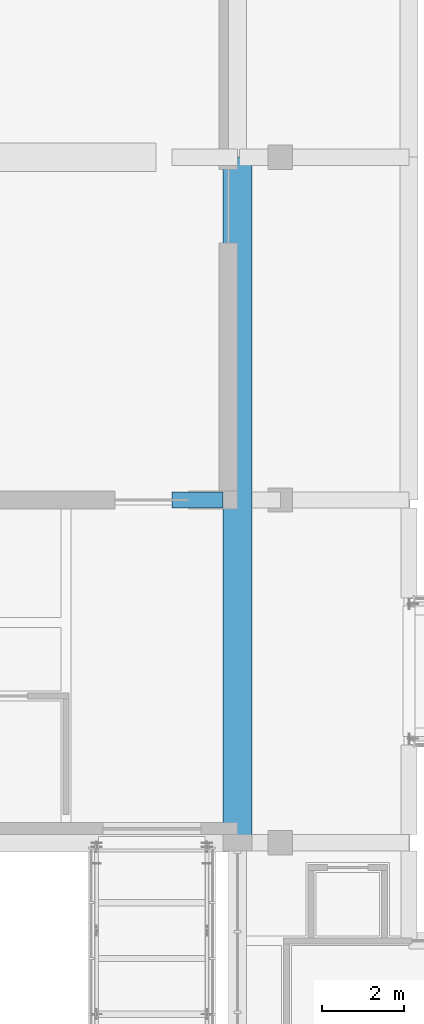
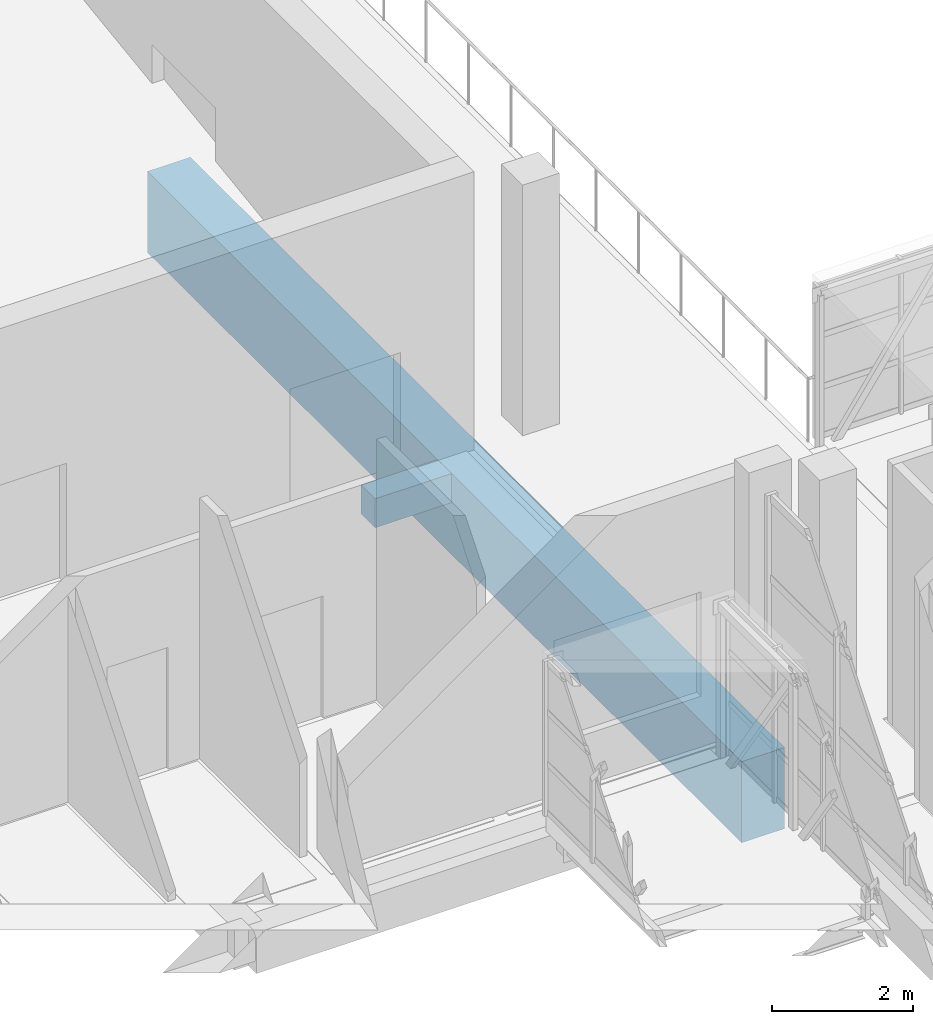
# One storey, part 17 of 67: 2 beams.
"""IFC4 building model written with IfcOpenShell, lengths in metres."""

import ifcopenshell
import ifcopenshell.guid

model = None  # the IFC model being written
_history = None  # IfcOwnerHistory: only IFC2X3 demands one
_inside = {}  # id of a spatial element -> (the spatial element, [elements in it])
_under = {}  # id of a project, library or spatial element -> (it, [spatial elements below it])
_declared = {}  # id of a project -> (the project, [libraries it declares])
_typed = {}  # id of a type object -> (the type object, [elements of that type])
_made_of = {}  # id of a material, layer set ... -> (it, [elements and type objects made of it])


def new_model(schema):
    """Start an empty IFC model of exactly this schema.

    Asked for "IFC4X3", IfcOpenShell would pick the latest addendum, in which some entities
    have other attributes; the version numbers below select the first issue.
    IFC2X3 requires an IfcOwnerHistory on every rooted entity: one is made here for all.
    """
    global model, _history
    if schema == "IFC4X3":
        model = ifcopenshell.file(schema_version=(4, 3, 0, 0))
    else:
        model = ifcopenshell.file(schema=schema)
    _inside.clear()
    _under.clear()
    _declared.clear()
    _typed.clear()
    _made_of.clear()
    _history = None
    if model.schema == "IFC2X3":
        org = make("IfcOrganization", Name="unknown")
        user = make(
            "IfcPersonAndOrganization",
            ThePerson=make("IfcPerson", FamilyName="unknown"),
            TheOrganization=org,
        )
        app = make(
            "IfcApplication",
            ApplicationDeveloper=org,
            Version="unknown",
            ApplicationFullName="unknown",
            ApplicationIdentifier="unknown",
        )
        _history = make(
            "IfcOwnerHistory",
            OwningUser=user,
            OwningApplication=app,
            ChangeAction="ADDED",
            CreationDate=0,
        )
    return model


def make(cls, **values):
    """One entity of the class cls with the attributes given. An attribute that is None is left unset."""
    return model.create_entity(
        cls, **{name: value for name, value in values.items() if value is not None}
    )


def rooted(cls, **values):
    """An entity with a GlobalId (a new one), such as an element, a storey or a relation."""
    return make(cls, GlobalId=ifcopenshell.guid.new(), OwnerHistory=_history, **values)


def si_unit(unit_type, name, prefix=None):
    """IfcSIUnit, for example si_unit("LENGTHUNIT", "METRE", prefix="MILLI")."""
    return make("IfcSIUnit", UnitType=unit_type, Prefix=prefix, Name=name)


def assignment(units):
    """IfcUnitAssignment: the units of a project."""
    return None if units is None else make("IfcUnitAssignment", Units=units)


def point(xyz):
    """IfcCartesianPoint."""
    return None if xyz is None else make("IfcCartesianPoint", Coordinates=xyz)


def direction(xyz):
    """IfcDirection."""
    return None if xyz is None else make("IfcDirection", DirectionRatios=xyz)


def frame(location, z_axis=None, x_axis=None):
    """IfcAxis2Placement3D, a coordinate frame: its origin and axes. An axis left out is left unset."""
    return make(
        "IfcAxis2Placement3D",
        Location=point(location),
        Axis=direction(z_axis),
        RefDirection=direction(x_axis),
    )


def frame_2d(location, x_axis=None):
    """IfcAxis2Placement2D, a coordinate frame in the plane: its origin and x axis."""
    return make(
        "IfcAxis2Placement2D", Location=point(location), RefDirection=direction(x_axis)
    )


def origin():
    """The frame at (0, 0, 0) with its axes left unset."""
    return frame((0.0, 0.0, 0.0))


def origin_2d():
    """The frame at (0, 0) in the plane with its x axis left unset."""
    return frame_2d((0.0, 0.0))


def place(relative_to, where):
    """IfcLocalPlacement: puts the frame where relative to a parent placement (None: the world)."""
    return make(
        "IfcLocalPlacement", PlacementRelTo=relative_to, RelativePlacement=where
    )


def context(
    kind, dimensions, precision=None, world=None, true_north=None, identifier=None
):
    """IfcGeometricRepresentationContext, for example the 3D "Model" context."""
    return make(
        "IfcGeometricRepresentationContext",
        ContextIdentifier=identifier,
        ContextType=kind,
        CoordinateSpaceDimension=dimensions,
        Precision=precision,
        WorldCoordinateSystem=world,
        TrueNorth=true_north,
    )


def subcontext(parent, identifier, kind, view, scale=None):
    """IfcGeometricRepresentationSubContext, for example "Body" below "Model"."""
    return make(
        "IfcGeometricRepresentationSubContext",
        ContextIdentifier=identifier,
        ContextType=kind,
        ParentContext=parent,
        TargetScale=scale,
        TargetView=view,
    )


def project(units=None, contexts=None):
    """IfcProject with its units and contexts."""
    return rooted(
        "IfcProject",
        Name="project",
        RepresentationContexts=contexts,
        UnitsInContext=assignment(units),
    )


def spatial(cls, under=None, at=None, **own):
    """A site, building, storey or space (cls), placed at a placement, below another one or the project."""
    s = rooted(cls, ObjectPlacement=at, **own)
    if under is not None:
        _under.setdefault(under.id(), (under, []))[1].append(s)
    return s


def profile(cls, at=None, kind="AREA", **sizes):
    """A parametric profile (cls). Its sizes go by their IFC names, for example OverallWidth=200.0."""
    return make(cls, ProfileType=kind, Position=at, **sizes)


def rectangle(**sizes):
    """IfcRectangleProfileDef."""
    return profile("IfcRectangleProfileDef", **sizes)


def extrude(swept, where, along, depth):
    """IfcExtrudedAreaSolid: the profile swept, set in the frame where, extruded along a direction by depth."""
    return make(
        "IfcExtrudedAreaSolid",
        SweptArea=swept,
        Position=where,
        ExtrudedDirection=direction(along),
        Depth=depth,
    )


def shape(context_of_items, identifier, shape_type, items):
    """IfcShapeRepresentation: the items that make up one representation, for example the "Body"."""
    return make(
        "IfcShapeRepresentation",
        ContextOfItems=context_of_items,
        RepresentationIdentifier=identifier,
        RepresentationType=shape_type,
        Items=items,
    )


def material(Name=None, Category=None):
    """IfcMaterial."""
    return make("IfcMaterial", Name=Name, Category=Category)


def material_profile(
    of_material, cross_section, Name=None, Category=None, Priority=None
):
    """IfcMaterialProfile: a cross section and its material."""
    return make(
        "IfcMaterialProfile",
        Name=Name,
        Material=of_material,
        Profile=cross_section,
        Priority=Priority,
        Category=Category,
    )


def profile_set(profiles, Name=None, composite=None):
    """IfcMaterialProfileSet."""
    return make(
        "IfcMaterialProfileSet",
        Name=Name,
        MaterialProfiles=profiles,
        CompositeProfile=composite,
    )


def made_of(thing, what):
    """Note that an element or type object is made of a material, layer set ...; save() writes the relation."""
    if what is not None:
        _made_of.setdefault(what.id(), (what, []))[1].append(thing)
    return thing


def type_object(cls, material=None, **own):
    """A type object (cls), such as IfcWallType, which elements share."""
    return made_of(rooted(cls, **own), material)


def element(
    cls,
    number,
    at=None,
    inside=None,
    cuts=None,
    type_object=None,
    material=None,
    context=None,
    identifier="Body",
    shape_type=None,
    held_by="IfcProductDefinitionShape",
    body=None,
    shapes=None,
    **own,
):
    """One element of the class cls, such as IfcWall. Its Tag is "e" and its number.

    at: its placement. inside: the storey or other place that contains it. cuts: it is an
    opening in that element (IfcRelVoidsElement). A single representation is given by context,
    identifier, shape_type and body (its items); several are given by shapes. held_by: the class
    of the entity that holds the representations. save() writes the other relations.
    """
    e = rooted(cls, Tag="e%d" % number, ObjectPlacement=at, **own)
    if body is not None:
        shapes = [shape(context, identifier, shape_type, body)]
    if shapes is not None:
        e.Representation = make(held_by, Representations=shapes)
    if inside is not None:
        _inside.setdefault(inside.id(), (inside, []))[1].append(e)
    if cuts is not None:
        rooted(
            "IfcRelVoidsElement", RelatingBuildingElement=cuts, RelatedOpeningElement=e
        )
    if type_object is not None:
        _typed.setdefault(type_object.id(), (type_object, []))[1].append(e)
    return made_of(e, material)


def aggregate(whole, parts):
    """IfcRelAggregates: a whole, such as a stair, and the parts it consists of."""
    return rooted("IfcRelAggregates", RelatingObject=whole, RelatedObjects=parts)


def save(model, path):
    """Write the relations noted so far, then the file.

    IfcRelAggregates (storeys below a building ...), IfcRelContainedInSpatialStructure (elements
    in a storey), IfcRelDefinesByType, IfcRelAssociatesMaterial and IfcRelDeclares: one each for
    every whole, place, type object, material and project.
    """
    for whole, parts in _under.values():
        aggregate(whole, parts)
    for where, things in _inside.values():
        rooted(
            "IfcRelContainedInSpatialStructure",
            RelatedElements=things,
            RelatingStructure=where,
        )
    for kind, things in _typed.values():
        rooted("IfcRelDefinesByType", RelatedObjects=things, RelatingType=kind)
    for what, things in _made_of.values():
        rooted("IfcRelAssociatesMaterial", RelatedObjects=things, RelatingMaterial=what)
    for by, libraries in _declared.values():
        rooted("IfcRelDeclares", RelatingContext=by, RelatedDefinitions=libraries)
    model.write(path)


model = new_model("IFC4")

# Units and contexts
model_context = context("Model", 3, precision=1e-05, world=origin(), true_north=direction((0.0, 1.0)))
body_context = subcontext(model_context, "Body", "Model", "MODEL_VIEW")
ifc_project = project(units=[si_unit("LENGTHUNIT", "METRE"), si_unit("AREAUNIT", "SQUARE_METRE"), si_unit("VOLUMEUNIT", "CUBIC_METRE"), si_unit("PLANEANGLEUNIT", "RADIAN"), si_unit("MASSUNIT", "GRAM", prefix="KILO")], contexts=[model_context])

# Site, building, storey
site_placement = place(None, origin())
site = spatial("IfcSite", under=ifc_project, at=site_placement, CompositionType="ELEMENT")
building_placement = place(site_placement, origin())
building = spatial("IfcBuilding", under=site, at=building_placement, Name="Kiln Court Media Centre", CompositionType="ELEMENT")
storey_placement = place(building_placement, frame((0.0, 0.0, 19.800048828125)))
storey = spatial("IfcBuildingStorey", under=building, at=storey_placement, Name="L04", CompositionType="ELEMENT", Elevation=19.800048828125)

# Beams
ifc_material_1 = material(Name="Concrete C30/37", Category="concrete")
ifc_material_profile_1 = material_profile(ifc_material_1, rectangle(XDim=0.39990234375, YDim=0.5, at=origin_2d()), Name="RC 400x500")
ifc_profile_set_1 = profile_set([ifc_material_profile_1], Name="Concrete C30/37")
beam_type_1 = type_object("IfcBeamType", Name="Concrete C30/37 beam 400x500", PredefinedType="BEAM", material=ifc_profile_set_1)
beam_1_placement = place(storey_placement, frame((32.0, 42.0, -0.550048828125), z_axis=(1.0, 0.0, 0.0), x_axis=(0.0, 1.0, 0.0)))
element("IfcBeam", 1, at=beam_1_placement, inside=storey, type_object=beam_type_1, Name="L04-B-1075", PredefinedType="BEAM", context=body_context, shape_type="SweptSolid", body=[
    extrude(rectangle(XDim=0.39990234375, YDim=0.5, at=origin_2d()), origin(), (0.0, 0.0, 1.0), 1.25),
])
ifc_material_2 = material(Name="Concrete C30/37", Category="concrete")
ifc_material_profile_2 = material_profile(ifc_material_2, rectangle(XDim=0.699951171875, YDim=1.39990234375, at=origin_2d()), Name="RC 700x1400")
ifc_profile_set_2 = profile_set([ifc_material_profile_2], Name="Concrete C30/37")
beam_type_2 = type_object("IfcBeamType", Name="Concrete C30/37 beam 700x1400", PredefinedType="BEAM", material=ifc_profile_set_2)
beam_2_placement = place(storey_placement, frame((33.60009765625, 33.60009765625, -1.0), z_axis=(0.0, 1.0, 0.0), x_axis=(-1.0, 0.0, 0.0)))
element("IfcBeam", 2, at=beam_2_placement, inside=storey, type_object=beam_type_2, Name="L04-B-1067", PredefinedType="BEAM", context=body_context, shape_type="SweptSolid", body=[
    extrude(rectangle(XDim=0.699951171875, YDim=1.39990234375, at=origin_2d()), origin(), (0.0, 0.0, 1.0), 16.7998046875),
])

save(model, "model.ifc")
